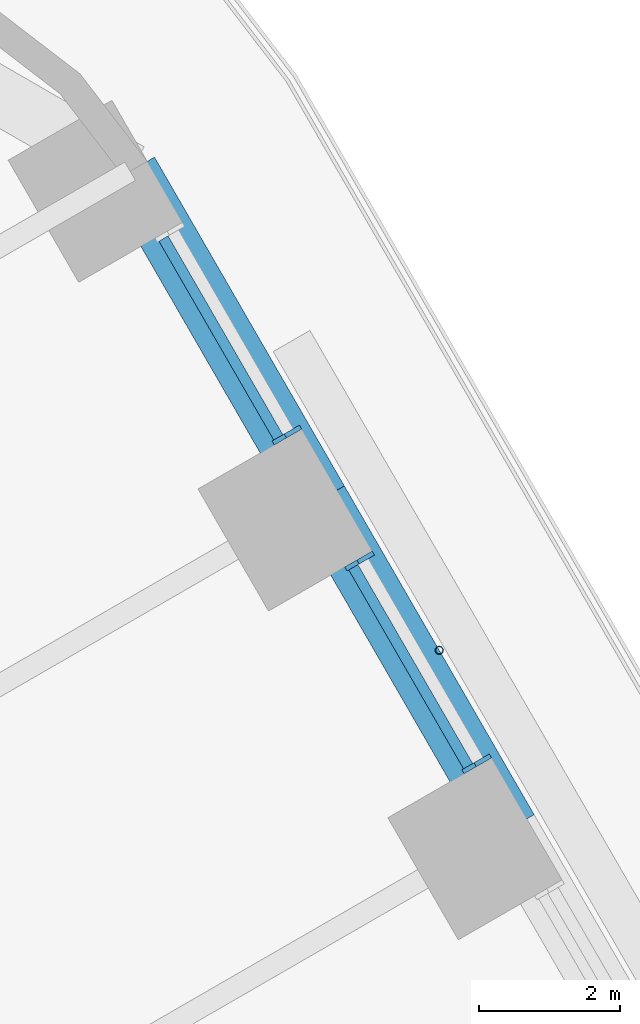
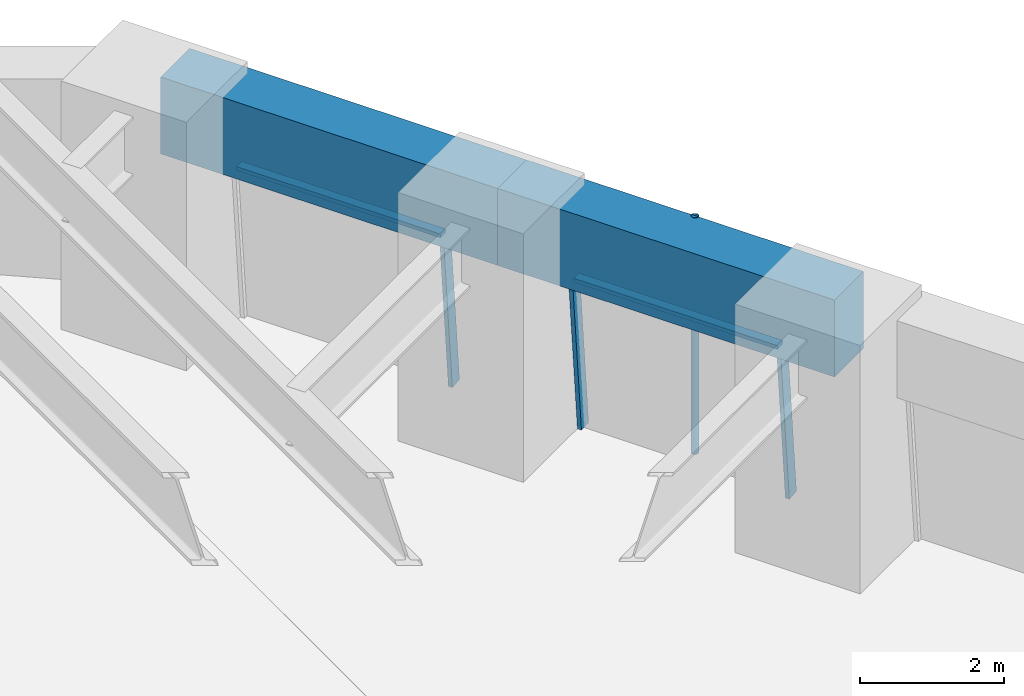
# One storey, part 11 of 23: 6 members, 2 beams, 2 elements without a shape of their own.
"""IFC4 building model written with IfcOpenShell, lengths in metres."""

import ifcopenshell
import ifcopenshell.guid

model = None  # the IFC model being written
_history = None  # IfcOwnerHistory: only IFC2X3 demands one
_inside = {}  # id of a spatial element -> (the spatial element, [elements in it])
_under = {}  # id of a project, library or spatial element -> (it, [spatial elements below it])
_declared = {}  # id of a project -> (the project, [libraries it declares])
_typed = {}  # id of a type object -> (the type object, [elements of that type])
_made_of = {}  # id of a material, layer set ... -> (it, [elements and type objects made of it])


def new_model(schema):
    """Start an empty IFC model of exactly this schema.

    Asked for "IFC4X3", IfcOpenShell would pick the latest addendum, in which some entities
    have other attributes; the version numbers below select the first issue.
    IFC2X3 requires an IfcOwnerHistory on every rooted entity: one is made here for all.
    """
    global model, _history
    if schema == "IFC4X3":
        model = ifcopenshell.file(schema_version=(4, 3, 0, 0))
    else:
        model = ifcopenshell.file(schema=schema)
    _inside.clear()
    _under.clear()
    _declared.clear()
    _typed.clear()
    _made_of.clear()
    _history = None
    if model.schema == "IFC2X3":
        org = make("IfcOrganization", Name="unknown")
        user = make(
            "IfcPersonAndOrganization",
            ThePerson=make("IfcPerson", FamilyName="unknown"),
            TheOrganization=org,
        )
        app = make(
            "IfcApplication",
            ApplicationDeveloper=org,
            Version="unknown",
            ApplicationFullName="unknown",
            ApplicationIdentifier="unknown",
        )
        _history = make(
            "IfcOwnerHistory",
            OwningUser=user,
            OwningApplication=app,
            ChangeAction="ADDED",
            CreationDate=0,
        )
    return model


def make(cls, **values):
    """One entity of the class cls with the attributes given. An attribute that is None is left unset."""
    return model.create_entity(
        cls, **{name: value for name, value in values.items() if value is not None}
    )


def rooted(cls, **values):
    """An entity with a GlobalId (a new one), such as an element, a storey or a relation."""
    return make(cls, GlobalId=ifcopenshell.guid.new(), OwnerHistory=_history, **values)


def si_unit(unit_type, name, prefix=None):
    """IfcSIUnit, for example si_unit("LENGTHUNIT", "METRE", prefix="MILLI")."""
    return make("IfcSIUnit", UnitType=unit_type, Prefix=prefix, Name=name)


def assignment(units):
    """IfcUnitAssignment: the units of a project."""
    return None if units is None else make("IfcUnitAssignment", Units=units)


def point(xyz):
    """IfcCartesianPoint."""
    return None if xyz is None else make("IfcCartesianPoint", Coordinates=xyz)


def direction(xyz):
    """IfcDirection."""
    return None if xyz is None else make("IfcDirection", DirectionRatios=xyz)


def frame(location, z_axis=None, x_axis=None):
    """IfcAxis2Placement3D, a coordinate frame: its origin and axes. An axis left out is left unset."""
    return make(
        "IfcAxis2Placement3D",
        Location=point(location),
        Axis=direction(z_axis),
        RefDirection=direction(x_axis),
    )


def frame_2d(location, x_axis=None):
    """IfcAxis2Placement2D, a coordinate frame in the plane: its origin and x axis."""
    return make(
        "IfcAxis2Placement2D", Location=point(location), RefDirection=direction(x_axis)
    )


def origin():
    """The frame at (0, 0, 0) with its axes left unset."""
    return frame((0.0, 0.0, 0.0))


def origin_2d():
    """The frame at (0, 0) in the plane with its x axis left unset."""
    return frame_2d((0.0, 0.0))


def place(relative_to, where):
    """IfcLocalPlacement: puts the frame where relative to a parent placement (None: the world)."""
    return make(
        "IfcLocalPlacement", PlacementRelTo=relative_to, RelativePlacement=where
    )


def context(
    kind, dimensions, precision=None, world=None, true_north=None, identifier=None
):
    """IfcGeometricRepresentationContext, for example the 3D "Model" context."""
    return make(
        "IfcGeometricRepresentationContext",
        ContextIdentifier=identifier,
        ContextType=kind,
        CoordinateSpaceDimension=dimensions,
        Precision=precision,
        WorldCoordinateSystem=world,
        TrueNorth=true_north,
    )


def subcontext(parent, identifier, kind, view, scale=None):
    """IfcGeometricRepresentationSubContext, for example "Body" below "Model"."""
    return make(
        "IfcGeometricRepresentationSubContext",
        ContextIdentifier=identifier,
        ContextType=kind,
        ParentContext=parent,
        TargetScale=scale,
        TargetView=view,
    )


def project(units=None, contexts=None):
    """IfcProject with its units and contexts."""
    return rooted(
        "IfcProject",
        Name="project",
        RepresentationContexts=contexts,
        UnitsInContext=assignment(units),
    )


def spatial(cls, under=None, at=None, **own):
    """A site, building, storey or space (cls), placed at a placement, below another one or the project."""
    s = rooted(cls, ObjectPlacement=at, **own)
    if under is not None:
        _under.setdefault(under.id(), (under, []))[1].append(s)
    return s


def profile(cls, at=None, kind="AREA", **sizes):
    """A parametric profile (cls). Its sizes go by their IFC names, for example OverallWidth=200.0."""
    return make(cls, ProfileType=kind, Position=at, **sizes)


def rectangle(**sizes):
    """IfcRectangleProfileDef."""
    return profile("IfcRectangleProfileDef", **sizes)


def hollow_circle(**sizes):
    """IfcCircleHollowProfileDef."""
    return profile("IfcCircleHollowProfileDef", **sizes)


def extrude(swept, where, along, depth):
    """IfcExtrudedAreaSolid: the profile swept, set in the frame where, extruded along a direction by depth."""
    return make(
        "IfcExtrudedAreaSolid",
        SweptArea=swept,
        Position=where,
        ExtrudedDirection=direction(along),
        Depth=depth,
    )


def shape(context_of_items, identifier, shape_type, items):
    """IfcShapeRepresentation: the items that make up one representation, for example the "Body"."""
    return make(
        "IfcShapeRepresentation",
        ContextOfItems=context_of_items,
        RepresentationIdentifier=identifier,
        RepresentationType=shape_type,
        Items=items,
    )


def material(Name=None, Category=None):
    """IfcMaterial."""
    return make("IfcMaterial", Name=Name, Category=Category)


def material_profile(
    of_material, cross_section, Name=None, Category=None, Priority=None
):
    """IfcMaterialProfile: a cross section and its material."""
    return make(
        "IfcMaterialProfile",
        Name=Name,
        Material=of_material,
        Profile=cross_section,
        Priority=Priority,
        Category=Category,
    )


def profile_set(profiles, Name=None, composite=None):
    """IfcMaterialProfileSet."""
    return make(
        "IfcMaterialProfileSet",
        Name=Name,
        MaterialProfiles=profiles,
        CompositeProfile=composite,
    )


def made_of(thing, what):
    """Note that an element or type object is made of a material, layer set ...; save() writes the relation."""
    if what is not None:
        _made_of.setdefault(what.id(), (what, []))[1].append(thing)
    return thing


def type_object(cls, material=None, **own):
    """A type object (cls), such as IfcWallType, which elements share."""
    return made_of(rooted(cls, **own), material)


def element(
    cls,
    number,
    at=None,
    inside=None,
    cuts=None,
    type_object=None,
    material=None,
    context=None,
    identifier="Body",
    shape_type=None,
    held_by="IfcProductDefinitionShape",
    body=None,
    shapes=None,
    **own,
):
    """One element of the class cls, such as IfcWall. Its Tag is "e" and its number.

    at: its placement. inside: the storey or other place that contains it. cuts: it is an
    opening in that element (IfcRelVoidsElement). A single representation is given by context,
    identifier, shape_type and body (its items); several are given by shapes. held_by: the class
    of the entity that holds the representations. save() writes the other relations.
    """
    e = rooted(cls, Tag="e%d" % number, ObjectPlacement=at, **own)
    if body is not None:
        shapes = [shape(context, identifier, shape_type, body)]
    if shapes is not None:
        e.Representation = make(held_by, Representations=shapes)
    if inside is not None:
        _inside.setdefault(inside.id(), (inside, []))[1].append(e)
    if cuts is not None:
        rooted(
            "IfcRelVoidsElement", RelatingBuildingElement=cuts, RelatedOpeningElement=e
        )
    if type_object is not None:
        _typed.setdefault(type_object.id(), (type_object, []))[1].append(e)
    return made_of(e, material)


def aggregate(whole, parts):
    """IfcRelAggregates: a whole, such as a stair, and the parts it consists of."""
    return rooted("IfcRelAggregates", RelatingObject=whole, RelatedObjects=parts)


def save(model, path):
    """Write the relations noted so far, then the file.

    IfcRelAggregates (storeys below a building ...), IfcRelContainedInSpatialStructure (elements
    in a storey), IfcRelDefinesByType, IfcRelAssociatesMaterial and IfcRelDeclares: one each for
    every whole, place, type object, material and project.
    """
    for whole, parts in _under.values():
        aggregate(whole, parts)
    for where, things in _inside.values():
        rooted(
            "IfcRelContainedInSpatialStructure",
            RelatedElements=things,
            RelatingStructure=where,
        )
    for kind, things in _typed.values():
        rooted("IfcRelDefinesByType", RelatedObjects=things, RelatingType=kind)
    for what, things in _made_of.values():
        rooted("IfcRelAssociatesMaterial", RelatedObjects=things, RelatingMaterial=what)
    for by, libraries in _declared.values():
        rooted("IfcRelDeclares", RelatingContext=by, RelatedDefinitions=libraries)
    model.write(path)


model = new_model("IFC4")

# Units and contexts
model_context = context("Model", 3, precision=1e-05, world=origin(), true_north=direction((0.0, 1.0)))
body_context = subcontext(model_context, "Body", "Model", "MODEL_VIEW")
ifc_project = project(units=[si_unit("LENGTHUNIT", "METRE"), si_unit("AREAUNIT", "SQUARE_METRE"), si_unit("VOLUMEUNIT", "CUBIC_METRE"), si_unit("PLANEANGLEUNIT", "RADIAN"), si_unit("MASSUNIT", "GRAM", prefix="KILO")], contexts=[model_context])

# Site, building, storey
site_placement = place(None, origin())
site = spatial("IfcSite", under=ifc_project, at=site_placement, CompositionType="ELEMENT")
building_placement = place(site_placement, origin())
building = spatial("IfcBuilding", under=site, at=building_placement, Name="Tarfa Lantern Tower", CompositionType="ELEMENT")
storey_placement = place(building_placement, frame((0.0, 0.0, 82.300048828125)))
storey = spatial("IfcBuildingStorey", under=building, at=storey_placement, Name="L18", CompositionType="ELEMENT", Elevation=82.300048828125)

# Curtain wall, members
ifc_material_1 = material(Name="Aluminium framed curtain wall", Category="aluminium")
curtain_wall_type = type_object("IfcCurtainWallType", Name="CW1 CANTED GLAZING LOW ZONE 2700", PredefinedType="USERDEFINED", material=ifc_material_1)
curtain_wall_1_placement = place(storey_placement, origin())
curtain_wall_1 = element("IfcCurtainWall", 1, at=curtain_wall_1_placement, inside=storey, type_object=curtain_wall_type, Name="CW1 NE L18", ObjectType="CURTAIN WALL", PredefinedType="USERDEFINED")
ifc_material_2 = material(Name="Aluminium mullion", Category="aluminium")
ifc_material_profile_1 = material_profile(ifc_material_2, rectangle(XDim=0.06494140625, YDim=0.199951171875, at=origin_2d()), Name="AL MULLION 65x200")
ifc_profile_set_1 = profile_set([ifc_material_profile_1], Name="Aluminium mullion")
member_type_1 = type_object("IfcMemberType", Name="CWM1 MULLION 65x200", PredefinedType="MULLION", material=ifc_profile_set_1)
member_1_placement = place(storey_placement, frame((26.147705078125, 22.5107421875, 0.0), z_axis=(-0.07986442134, -0.046099868913, 0.99573916077), x_axis=(0.499919672301, -0.866071776036, 0.0)))
member_1 = element("IfcMember", 2, at=member_1_placement, type_object=member_type_1, Name="CW1 mullion 1", PredefinedType="MULLION", context=body_context, shape_type="SweptSolid", body=[
    extrude(rectangle(XDim=0.06494140625, YDim=0.199951171875, at=origin_2d()), origin(), (0.0, 0.0, 1.0), 2.71142578125),
])
member_2_placement = place(storey_placement, frame((24.48583984375, 25.38916015625, 0.0), z_axis=(-0.07986442134, -0.046099868913, 0.99573916077), x_axis=(0.499919672301, -0.866071776036, 0.0)))
member_2 = element("IfcMember", 3, at=member_2_placement, type_object=member_type_1, Name="CW1 mullion 2", PredefinedType="MULLION", context=body_context, shape_type="SweptSolid", body=[
    extrude(rectangle(XDim=0.06494140625, YDim=0.199951171875, at=origin_2d()), origin(), (0.0, 0.0, 1.0), 2.71142578125),
])

# Curtain wall, member
curtain_wall_2_placement = place(storey_placement, origin())
curtain_wall_2 = element("IfcCurtainWall", 4, at=curtain_wall_2_placement, inside=storey, type_object=curtain_wall_type, Name="CW1 NE L18", ObjectType="CURTAIN WALL", PredefinedType="USERDEFINED")
member_3_placement = place(storey_placement, frame((23.453369140625, 27.177490234375, 0.0), z_axis=(-0.07986442134, -0.046099868913, 0.99573916077), x_axis=(0.499919672301, -0.866071776036, 0.0)))
member_3 = element("IfcMember", 5, at=member_3_placement, type_object=member_type_1, Name="CW1 mullion 1", PredefinedType="MULLION", context=body_context, shape_type="SweptSolid", body=[
    extrude(rectangle(XDim=0.06494140625, YDim=0.199951171875, at=origin_2d()), origin(), (0.0, 0.0, 1.0), 2.71142578125),
])

# Member
ifc_material_3 = material(Name="Aluminium transom", Category="aluminium")
ifc_material_profile_2 = material_profile(ifc_material_3, rectangle(XDim=0.14990234375, YDim=0.06494140625, at=origin_2d()), Name="AL TRANSOM 150x65")
ifc_profile_set_2 = profile_set([ifc_material_profile_2], Name="Aluminium transom")
member_type_2 = type_object("IfcMemberType", Name="CWT1 TRANSOM 150x65", PredefinedType="USERDEFINED", material=ifc_profile_set_2)
member_4_placement = place(storey_placement, frame((25.91748046875, 22.41552734375, 2.66748046875), z_axis=(-0.499966746847, 0.86604460165, 0.0), x_axis=(-0.86604460165, -0.499966746847, 0.0)))
member_4 = element("IfcMember", 6, at=member_4_placement, type_object=member_type_2, Name="CW1 transom 1.2", ObjectType="TRANSOM", PredefinedType="USERDEFINED", context=body_context, shape_type="SweptSolid", body=[
    extrude(rectangle(XDim=0.14990234375, YDim=0.06494140625, at=origin_2d()), origin(), (0.0, 0.0, 1.0), 3.258544921875),
])

aggregate(curtain_wall_1, [member_1, member_2, member_4])

member_5_placement = place(storey_placement, frame((23.22314453125, 27.082275390625, 2.66748046875), z_axis=(-0.499966746847, 0.86604460165, 0.0), x_axis=(-0.86604460165, -0.499966746847, 0.0)))
member_5 = element("IfcMember", 7, at=member_5_placement, type_object=member_type_2, Name="CW1 transom 1.2", ObjectType="TRANSOM", PredefinedType="USERDEFINED", context=body_context, shape_type="SweptSolid", body=[
    extrude(rectangle(XDim=0.14990234375, YDim=0.06494140625, at=origin_2d()), origin(), (0.0, 0.0, 1.0), 3.258544921875),
])

aggregate(curtain_wall_2, [member_3, member_5])

# Beams
ifc_material_4 = material(Name="Concrete C80/95", Category="concrete")
ifc_material_profile_3 = material_profile(ifc_material_4, rectangle(XDim=0.800048828125, YDim=1.300048828125, at=origin_2d()), Name="RC 800x1300")
ifc_profile_set_3 = profile_set([ifc_material_profile_3], Name="Concrete C80/95")
beam_type = type_object("IfcBeamType", Name="EB1 RC 800x1300", PredefinedType="SPANDREL", material=ifc_profile_set_3)
for number, where, z_axis, x_axis, name in (
    (8, (26.508056640625, 21.526611328125, 3.349853515625), (-0.499998287579, 0.866026392449, 0.0), (-0.866026392449, -0.499998287579, 0.0), "Edge beam NE4"),
    (9, (23.813720703125, 26.193359375, 3.349853515625), (-0.499998287579, 0.866026392449, 0.0), (-0.866026392449, -0.499998287579, 0.0), "Edge beam NE5"),
):
    element("IfcBeam", number, at=place(storey_placement, frame(where, z_axis=z_axis, x_axis=x_axis)), inside=storey, type_object=beam_type, Name=name, PredefinedType="SPANDREL", context=body_context, shape_type="SweptSolid", body=[
        extrude(rectangle(XDim=0.800048828125, YDim=1.300048828125, at=origin_2d()), origin(), (0.0, 0.0, 1.0), 5.388671875),
    ])

# Member
ifc_material_5 = material(Name="Steel S355", Category="steel")
ifc_material_profile_4 = material_profile(ifc_material_5, hollow_circle(Radius=0.05712890625, WallThickness=0.00634765625, at=origin_2d()), Name="CHS114.3x6.3")
ifc_profile_set_4 = profile_set([ifc_material_profile_4], Name="Steel S355")
member_type_3 = type_object("IfcMemberType", Name="TR1 GREEN WALL TRELLIS CHS114.3x6.3", PredefinedType="USERDEFINED", material=ifc_profile_set_4)
member_6_placement = place(storey_placement, frame((25.50732421875, 24.06005859375, 0.0), z_axis=(0.0, 0.0, 1.0), x_axis=(1.0, 0.0, 0.0)))
element("IfcMember", 10, at=member_6_placement, inside=storey, type_object=member_type_3, Name="Trellis post NE 2", ObjectType="TRELLIS", PredefinedType="USERDEFINED", context=body_context, shape_type="SweptSolid", body=[
    extrude(hollow_circle(Radius=0.05712890625, WallThickness=0.00634765625, at=origin_2d()), origin(), (0.0, 0.0, 1.0), 4.0),
])

save(model, "model.ifc")
